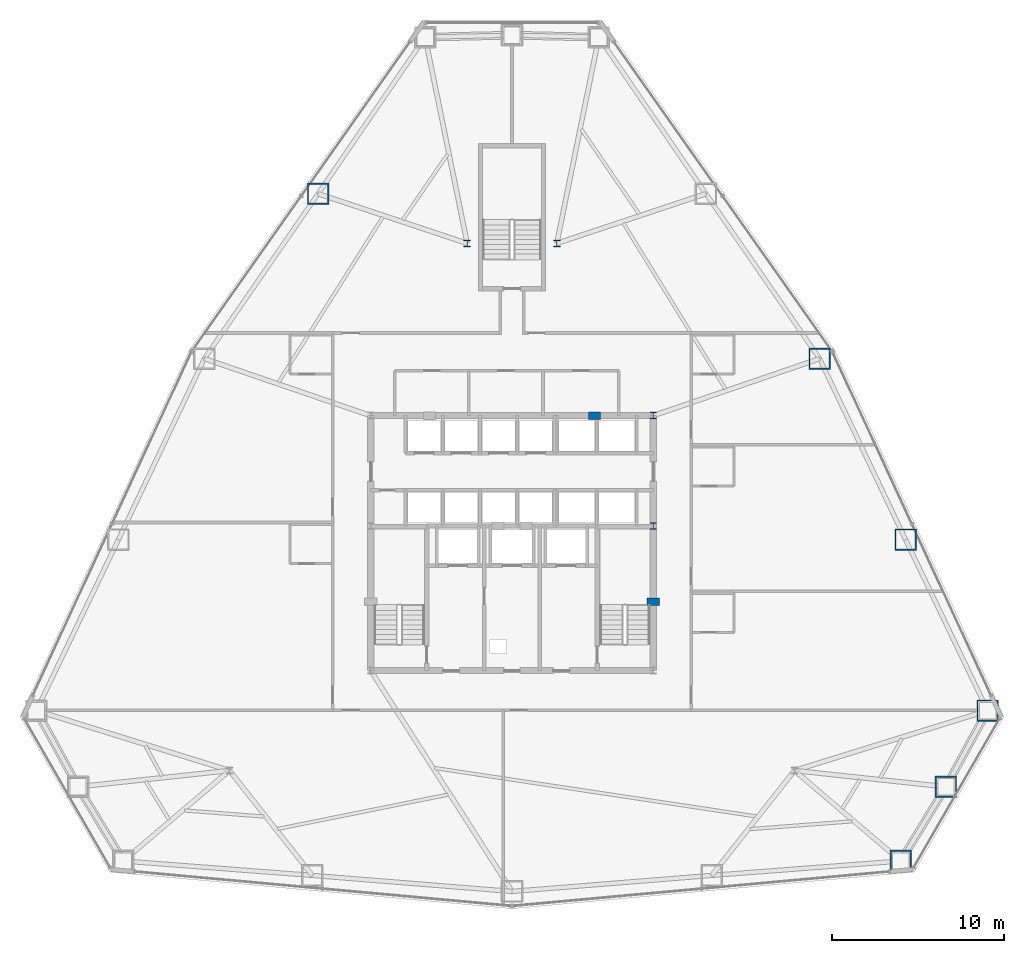
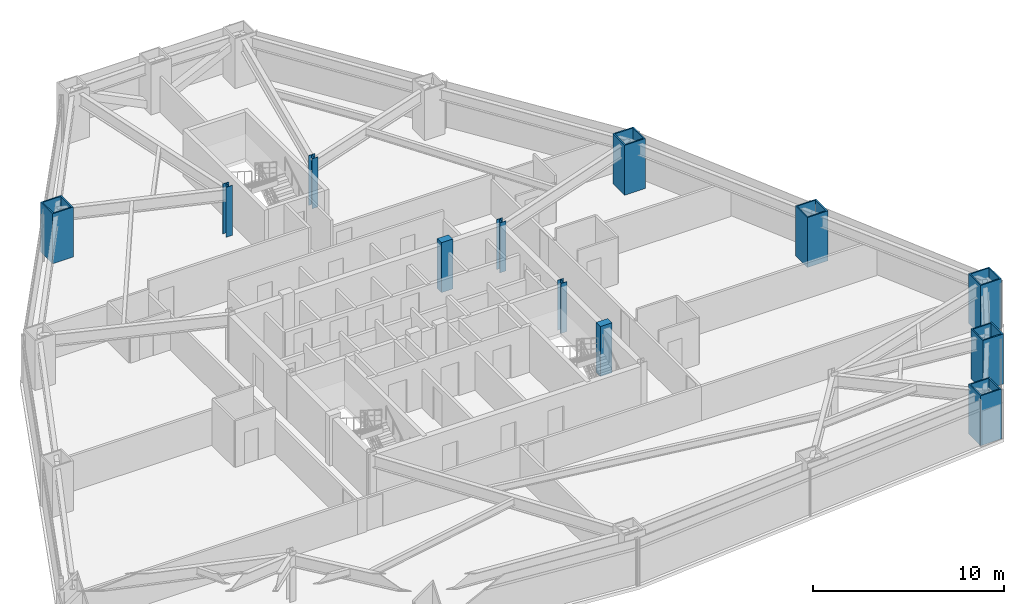
# One storey, part 2 of 12: 12 columns.
"""IFC4 building model written with IfcOpenShell, lengths in metres."""

import ifcopenshell
import ifcopenshell.guid

model = None  # the IFC model being written
_history = None  # IfcOwnerHistory: only IFC2X3 demands one
_inside = {}  # id of a spatial element -> (the spatial element, [elements in it])
_under = {}  # id of a project, library or spatial element -> (it, [spatial elements below it])
_declared = {}  # id of a project -> (the project, [libraries it declares])
_typed = {}  # id of a type object -> (the type object, [elements of that type])
_made_of = {}  # id of a material, layer set ... -> (it, [elements and type objects made of it])


def new_model(schema):
    """Start an empty IFC model of exactly this schema.

    Asked for "IFC4X3", IfcOpenShell would pick the latest addendum, in which some entities
    have other attributes; the version numbers below select the first issue.
    IFC2X3 requires an IfcOwnerHistory on every rooted entity: one is made here for all.
    """
    global model, _history
    if schema == "IFC4X3":
        model = ifcopenshell.file(schema_version=(4, 3, 0, 0))
    else:
        model = ifcopenshell.file(schema=schema)
    _inside.clear()
    _under.clear()
    _declared.clear()
    _typed.clear()
    _made_of.clear()
    _history = None
    if model.schema == "IFC2X3":
        org = make("IfcOrganization", Name="unknown")
        user = make(
            "IfcPersonAndOrganization",
            ThePerson=make("IfcPerson", FamilyName="unknown"),
            TheOrganization=org,
        )
        app = make(
            "IfcApplication",
            ApplicationDeveloper=org,
            Version="unknown",
            ApplicationFullName="unknown",
            ApplicationIdentifier="unknown",
        )
        _history = make(
            "IfcOwnerHistory",
            OwningUser=user,
            OwningApplication=app,
            ChangeAction="ADDED",
            CreationDate=0,
        )
    return model


def make(cls, **values):
    """One entity of the class cls with the attributes given. An attribute that is None is left unset."""
    return model.create_entity(
        cls, **{name: value for name, value in values.items() if value is not None}
    )


def rooted(cls, **values):
    """An entity with a GlobalId (a new one), such as an element, a storey or a relation."""
    return make(cls, GlobalId=ifcopenshell.guid.new(), OwnerHistory=_history, **values)


def si_unit(unit_type, name, prefix=None):
    """IfcSIUnit, for example si_unit("LENGTHUNIT", "METRE", prefix="MILLI")."""
    return make("IfcSIUnit", UnitType=unit_type, Prefix=prefix, Name=name)


def assignment(units):
    """IfcUnitAssignment: the units of a project."""
    return None if units is None else make("IfcUnitAssignment", Units=units)


def point(xyz):
    """IfcCartesianPoint."""
    return None if xyz is None else make("IfcCartesianPoint", Coordinates=xyz)


def direction(xyz):
    """IfcDirection."""
    return None if xyz is None else make("IfcDirection", DirectionRatios=xyz)


def frame(location, z_axis=None, x_axis=None):
    """IfcAxis2Placement3D, a coordinate frame: its origin and axes. An axis left out is left unset."""
    return make(
        "IfcAxis2Placement3D",
        Location=point(location),
        Axis=direction(z_axis),
        RefDirection=direction(x_axis),
    )


def frame_2d(location, x_axis=None):
    """IfcAxis2Placement2D, a coordinate frame in the plane: its origin and x axis."""
    return make(
        "IfcAxis2Placement2D", Location=point(location), RefDirection=direction(x_axis)
    )


def origin():
    """The frame at (0, 0, 0) with its axes left unset."""
    return frame((0.0, 0.0, 0.0))


def origin_2d():
    """The frame at (0, 0) in the plane with its x axis left unset."""
    return frame_2d((0.0, 0.0))


def place(relative_to, where):
    """IfcLocalPlacement: puts the frame where relative to a parent placement (None: the world)."""
    return make(
        "IfcLocalPlacement", PlacementRelTo=relative_to, RelativePlacement=where
    )


def context(
    kind, dimensions, precision=None, world=None, true_north=None, identifier=None
):
    """IfcGeometricRepresentationContext, for example the 3D "Model" context."""
    return make(
        "IfcGeometricRepresentationContext",
        ContextIdentifier=identifier,
        ContextType=kind,
        CoordinateSpaceDimension=dimensions,
        Precision=precision,
        WorldCoordinateSystem=world,
        TrueNorth=true_north,
    )


def subcontext(parent, identifier, kind, view, scale=None):
    """IfcGeometricRepresentationSubContext, for example "Body" below "Model"."""
    return make(
        "IfcGeometricRepresentationSubContext",
        ContextIdentifier=identifier,
        ContextType=kind,
        ParentContext=parent,
        TargetScale=scale,
        TargetView=view,
    )


def project(units=None, contexts=None):
    """IfcProject with its units and contexts."""
    return rooted(
        "IfcProject",
        Name="project",
        RepresentationContexts=contexts,
        UnitsInContext=assignment(units),
    )


def spatial(cls, under=None, at=None, **own):
    """A site, building, storey or space (cls), placed at a placement, below another one or the project."""
    s = rooted(cls, ObjectPlacement=at, **own)
    if under is not None:
        _under.setdefault(under.id(), (under, []))[1].append(s)
    return s


def profile(cls, at=None, kind="AREA", **sizes):
    """A parametric profile (cls). Its sizes go by their IFC names, for example OverallWidth=200.0."""
    return make(cls, ProfileType=kind, Position=at, **sizes)


def rectangle(**sizes):
    """IfcRectangleProfileDef."""
    return profile("IfcRectangleProfileDef", **sizes)


def hollow_rectangle(**sizes):
    """IfcRectangleHollowProfileDef."""
    return profile("IfcRectangleHollowProfileDef", **sizes)


def i_section(**sizes):
    """IfcIShapeProfileDef."""
    return profile("IfcIShapeProfileDef", **sizes)


def extrude(swept, where, along, depth):
    """IfcExtrudedAreaSolid: the profile swept, set in the frame where, extruded along a direction by depth."""
    return make(
        "IfcExtrudedAreaSolid",
        SweptArea=swept,
        Position=where,
        ExtrudedDirection=direction(along),
        Depth=depth,
    )


def shape(context_of_items, identifier, shape_type, items):
    """IfcShapeRepresentation: the items that make up one representation, for example the "Body"."""
    return make(
        "IfcShapeRepresentation",
        ContextOfItems=context_of_items,
        RepresentationIdentifier=identifier,
        RepresentationType=shape_type,
        Items=items,
    )


def material(Name=None, Category=None):
    """IfcMaterial."""
    return make("IfcMaterial", Name=Name, Category=Category)


def material_profile(
    of_material, cross_section, Name=None, Category=None, Priority=None
):
    """IfcMaterialProfile: a cross section and its material."""
    return make(
        "IfcMaterialProfile",
        Name=Name,
        Material=of_material,
        Profile=cross_section,
        Priority=Priority,
        Category=Category,
    )


def profile_set(profiles, Name=None, composite=None):
    """IfcMaterialProfileSet."""
    return make(
        "IfcMaterialProfileSet",
        Name=Name,
        MaterialProfiles=profiles,
        CompositeProfile=composite,
    )


def made_of(thing, what):
    """Note that an element or type object is made of a material, layer set ...; save() writes the relation."""
    if what is not None:
        _made_of.setdefault(what.id(), (what, []))[1].append(thing)
    return thing


def type_object(cls, material=None, **own):
    """A type object (cls), such as IfcWallType, which elements share."""
    return made_of(rooted(cls, **own), material)


def element(
    cls,
    number,
    at=None,
    inside=None,
    cuts=None,
    type_object=None,
    material=None,
    context=None,
    identifier="Body",
    shape_type=None,
    held_by="IfcProductDefinitionShape",
    body=None,
    shapes=None,
    **own,
):
    """One element of the class cls, such as IfcWall. Its Tag is "e" and its number.

    at: its placement. inside: the storey or other place that contains it. cuts: it is an
    opening in that element (IfcRelVoidsElement). A single representation is given by context,
    identifier, shape_type and body (its items); several are given by shapes. held_by: the class
    of the entity that holds the representations. save() writes the other relations.
    """
    e = rooted(cls, Tag="e%d" % number, ObjectPlacement=at, **own)
    if body is not None:
        shapes = [shape(context, identifier, shape_type, body)]
    if shapes is not None:
        e.Representation = make(held_by, Representations=shapes)
    if inside is not None:
        _inside.setdefault(inside.id(), (inside, []))[1].append(e)
    if cuts is not None:
        rooted(
            "IfcRelVoidsElement", RelatingBuildingElement=cuts, RelatedOpeningElement=e
        )
    if type_object is not None:
        _typed.setdefault(type_object.id(), (type_object, []))[1].append(e)
    return made_of(e, material)


def aggregate(whole, parts):
    """IfcRelAggregates: a whole, such as a stair, and the parts it consists of."""
    return rooted("IfcRelAggregates", RelatingObject=whole, RelatedObjects=parts)


def save(model, path):
    """Write the relations noted so far, then the file.

    IfcRelAggregates (storeys below a building ...), IfcRelContainedInSpatialStructure (elements
    in a storey), IfcRelDefinesByType, IfcRelAssociatesMaterial and IfcRelDeclares: one each for
    every whole, place, type object, material and project.
    """
    for whole, parts in _under.values():
        aggregate(whole, parts)
    for where, things in _inside.values():
        rooted(
            "IfcRelContainedInSpatialStructure",
            RelatedElements=things,
            RelatingStructure=where,
        )
    for kind, things in _typed.values():
        rooted("IfcRelDefinesByType", RelatedObjects=things, RelatingType=kind)
    for what, things in _made_of.values():
        rooted("IfcRelAssociatesMaterial", RelatedObjects=things, RelatingMaterial=what)
    for by, libraries in _declared.values():
        rooted("IfcRelDeclares", RelatingContext=by, RelatedDefinitions=libraries)
    model.write(path)


model = new_model("IFC4")

# Units and contexts
model_context = context("Model", 3, precision=1e-05, world=origin(), true_north=direction((0.0, 1.0)))
body_context = subcontext(model_context, "Body", "Model", "MODEL_VIEW")
ifc_project = project(units=[si_unit("LENGTHUNIT", "METRE"), si_unit("AREAUNIT", "SQUARE_METRE"), si_unit("VOLUMEUNIT", "CUBIC_METRE"), si_unit("PLANEANGLEUNIT", "RADIAN"), si_unit("MASSUNIT", "GRAM", prefix="KILO")], contexts=[model_context])

# Site, building, storey
site_placement = place(None, origin())
site = spatial("IfcSite", under=ifc_project, at=site_placement, CompositionType="ELEMENT")
building_placement = place(site_placement, origin())
building = spatial("IfcBuilding", under=site, at=building_placement, Name="Varakhsha Concourse Tower", CompositionType="ELEMENT")
storey_placement = place(building_placement, frame((0.0, 0.0, 43.199951171875)))
storey = spatial("IfcBuildingStorey", under=building, at=storey_placement, Name="L11", CompositionType="ELEMENT", Elevation=43.199951171875)

# Columns
ifc_material_1 = material(Name="Structural Steel ASTM A992 Grade 50", Category="steel")
ifc_material_profile_1 = material_profile(ifc_material_1, i_section(OverallWidth=0.3740234375, OverallDepth=0.3720703125, WebThickness=0.01611328125, FlangeThickness=0.02587890625, at=origin_2d()), Name="W14X132")
ifc_profile_set_1 = profile_set([ifc_material_profile_1], Name="Structural Steel ASTM A992 Grade 50")
column_type_1 = type_object("IfcColumnType", Name="CL-CORE-W14X132", PredefinedType="COLUMN", material=ifc_profile_set_1)
for number, where, z_axis, x_axis, name in (
    (1, (48.199951171875, 24.800048828125, 0.0), (0.0, 0.0, 1.0), (1.0, 0.0, 0.0), "L11 Core Column CC-ME"),
    (2, (48.199951171875, 31.199951171875, 0.0), (0.0, 0.0, 1.0), (1.0, 0.0, 0.0), "L11 Core Column CC-NE"),
    (3, (37.39990234375, 41.199951171875, 0.0), (0.0, 0.0, 1.0), (1.0, 0.0, 0.0), "L11 Core Column NS-W"),
    (4, (42.60009765625, 41.199951171875, 0.0), (0.0, 0.0, 1.0), (1.0, 0.0, 0.0), "L11 Core Column NS-E"),
):
    element("IfcColumn", number, at=place(storey_placement, frame(where, z_axis=z_axis, x_axis=x_axis)), inside=storey, type_object=column_type_1, Name=name, PredefinedType="COLUMN", context=body_context, shape_type="SweptSolid", body=[
        extrude(i_section(OverallWidth=0.3740234375, OverallDepth=0.3720703125, WebThickness=0.01611328125, FlangeThickness=0.02587890625, at=origin_2d()), origin(), (0.0, 0.0, 1.0), 3.199951171875),
    ])
ifc_material_2 = material(Name="Concrete fc 65 MPa", Category="concrete")
ifc_material_profile_2 = material_profile(ifc_material_2, rectangle(XDim=0.699951171875, YDim=0.449951171875, at=origin_2d()), Name="RC 700x450")
ifc_profile_set_2 = profile_set([ifc_material_profile_2], Name="Concrete fc 65 MPa")
column_type_2 = type_object("IfcColumnType", Name="CL-PIL-700X450", PredefinedType="PILASTER", material=ifc_profile_set_2)
for number, where, z_axis, x_axis, name in (
    (5, (48.199951171875, 20.39990234375, 0.0), (0.0, 0.0, 1.0), (1.0, 0.0, 0.0), "L11 Core Boundary Pilaster PIL-E1"),
    (6, (44.800048828125, 31.199951171875, 0.0), (0.0, 0.0, 1.0), (1.0, 0.0, 0.0), "L11 Core Boundary Pilaster PIL-N2"),
):
    element("IfcColumn", number, at=place(storey_placement, frame(where, z_axis=z_axis, x_axis=x_axis)), inside=storey, type_object=column_type_2, Name=name, PredefinedType="PILASTER", context=body_context, shape_type="SweptSolid", body=[
        extrude(rectangle(XDim=0.699951171875, YDim=0.449951171875, at=origin_2d()), origin(), (0.0, 0.0, 1.0), 3.199951171875),
    ])
ifc_material_3 = material(Name="Structural Steel ASTM A572 Grade 50", Category="steel")
ifc_material_profile_3 = material_profile(ifc_material_3, hollow_rectangle(XDim=1.25, YDim=1.25, WallThickness=0.080078125, at=origin_2d()), Name="BOX 1250x1250x80")
ifc_profile_set_3 = profile_set([ifc_material_profile_3], Name="Structural Steel ASTM A572 Grade 50")
column_type_3 = type_object("IfcColumnType", Name="CL-TUBE-1250", PredefinedType="COLUMN", material=ifc_profile_set_3)
for number, where, z_axis, x_axis, name in (
    (7, (28.74609375, 44.084228515625, 0.0), (0.0, 0.0, 1.0), (1.0, 0.0, 0.0), "L11 Framed-Tube Column TC04"),
    (8, (62.569580078125, 5.3486328125, 0.0), (0.0, 0.0, 1.0), (1.0, 0.0, 0.0), "L11 Framed-Tube Column TC13"),
    (9, (65.19140625, 9.65576171875, 0.0), (0.0, 0.0, 1.0), (1.0, 0.0, 0.0), "L11 Framed-Tube Column TC14"),
    (10, (67.610595703125, 14.07958984375, 0.0), (0.0, 0.0, 1.0), (1.0, 0.0, 0.0), "L11 Framed-Tube Column TC15"),
    (11, (62.84716796875, 24.004150390625, 0.0), (0.0, 0.0, 1.0), (1.0, 0.0, 0.0), "L11 Framed-Tube Column TC16"),
    (12, (57.855224609375, 34.5087890625, 0.0), (0.0, 0.0, 1.0), (1.0, 0.0, 0.0), "L11 Framed-Tube Column TC17"),
):
    element("IfcColumn", number, at=place(storey_placement, frame(where, z_axis=z_axis, x_axis=x_axis)), inside=storey, type_object=column_type_3, Name=name, PredefinedType="COLUMN", context=body_context, shape_type="SweptSolid", body=[
        extrude(hollow_rectangle(XDim=1.25, YDim=1.25, WallThickness=0.080078125, at=origin_2d()), origin(), (0.0, 0.0, 1.0), 3.199951171875),
    ])

save(model, "model.ifc")
